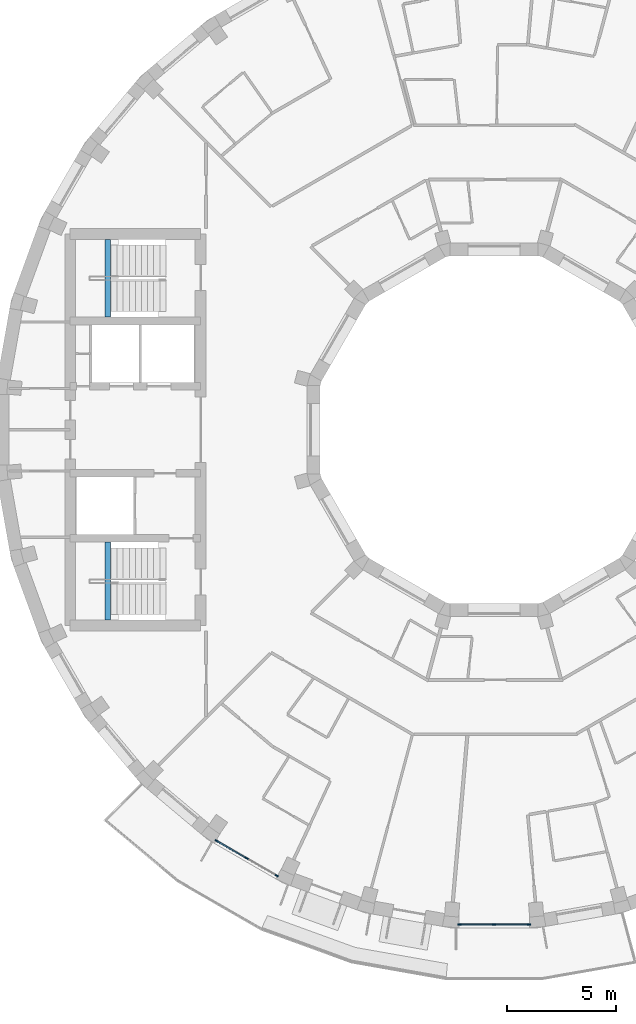
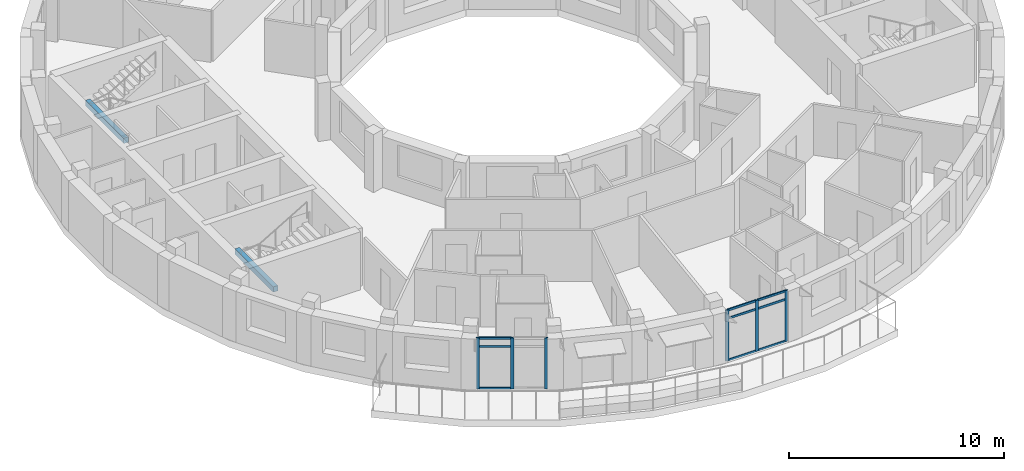
# One storey, part 2 of 12: 15 members, 2 beams, 2 elements without a shape of their own.
"""IFC4 building model written with IfcOpenShell, lengths in metres."""

import ifcopenshell
import ifcopenshell.guid

model = None  # the IFC model being written
_history = None  # IfcOwnerHistory: only IFC2X3 demands one
_inside = {}  # id of a spatial element -> (the spatial element, [elements in it])
_under = {}  # id of a project, library or spatial element -> (it, [spatial elements below it])
_declared = {}  # id of a project -> (the project, [libraries it declares])
_typed = {}  # id of a type object -> (the type object, [elements of that type])
_made_of = {}  # id of a material, layer set ... -> (it, [elements and type objects made of it])


def new_model(schema):
    """Start an empty IFC model of exactly this schema.

    Asked for "IFC4X3", IfcOpenShell would pick the latest addendum, in which some entities
    have other attributes; the version numbers below select the first issue.
    IFC2X3 requires an IfcOwnerHistory on every rooted entity: one is made here for all.
    """
    global model, _history
    if schema == "IFC4X3":
        model = ifcopenshell.file(schema_version=(4, 3, 0, 0))
    else:
        model = ifcopenshell.file(schema=schema)
    _inside.clear()
    _under.clear()
    _declared.clear()
    _typed.clear()
    _made_of.clear()
    _history = None
    if model.schema == "IFC2X3":
        org = make("IfcOrganization", Name="unknown")
        user = make(
            "IfcPersonAndOrganization",
            ThePerson=make("IfcPerson", FamilyName="unknown"),
            TheOrganization=org,
        )
        app = make(
            "IfcApplication",
            ApplicationDeveloper=org,
            Version="unknown",
            ApplicationFullName="unknown",
            ApplicationIdentifier="unknown",
        )
        _history = make(
            "IfcOwnerHistory",
            OwningUser=user,
            OwningApplication=app,
            ChangeAction="ADDED",
            CreationDate=0,
        )
    return model


def make(cls, **values):
    """One entity of the class cls with the attributes given. An attribute that is None is left unset."""
    return model.create_entity(
        cls, **{name: value for name, value in values.items() if value is not None}
    )


def rooted(cls, **values):
    """An entity with a GlobalId (a new one), such as an element, a storey or a relation."""
    return make(cls, GlobalId=ifcopenshell.guid.new(), OwnerHistory=_history, **values)


def si_unit(unit_type, name, prefix=None):
    """IfcSIUnit, for example si_unit("LENGTHUNIT", "METRE", prefix="MILLI")."""
    return make("IfcSIUnit", UnitType=unit_type, Prefix=prefix, Name=name)


def assignment(units):
    """IfcUnitAssignment: the units of a project."""
    return None if units is None else make("IfcUnitAssignment", Units=units)


def point(xyz):
    """IfcCartesianPoint."""
    return None if xyz is None else make("IfcCartesianPoint", Coordinates=xyz)


def direction(xyz):
    """IfcDirection."""
    return None if xyz is None else make("IfcDirection", DirectionRatios=xyz)


def frame(location, z_axis=None, x_axis=None):
    """IfcAxis2Placement3D, a coordinate frame: its origin and axes. An axis left out is left unset."""
    return make(
        "IfcAxis2Placement3D",
        Location=point(location),
        Axis=direction(z_axis),
        RefDirection=direction(x_axis),
    )


def frame_2d(location, x_axis=None):
    """IfcAxis2Placement2D, a coordinate frame in the plane: its origin and x axis."""
    return make(
        "IfcAxis2Placement2D", Location=point(location), RefDirection=direction(x_axis)
    )


def origin():
    """The frame at (0, 0, 0) with its axes left unset."""
    return frame((0.0, 0.0, 0.0))


def origin_2d():
    """The frame at (0, 0) in the plane with its x axis left unset."""
    return frame_2d((0.0, 0.0))


def place(relative_to, where):
    """IfcLocalPlacement: puts the frame where relative to a parent placement (None: the world)."""
    return make(
        "IfcLocalPlacement", PlacementRelTo=relative_to, RelativePlacement=where
    )


def context(
    kind, dimensions, precision=None, world=None, true_north=None, identifier=None
):
    """IfcGeometricRepresentationContext, for example the 3D "Model" context."""
    return make(
        "IfcGeometricRepresentationContext",
        ContextIdentifier=identifier,
        ContextType=kind,
        CoordinateSpaceDimension=dimensions,
        Precision=precision,
        WorldCoordinateSystem=world,
        TrueNorth=true_north,
    )


def subcontext(parent, identifier, kind, view, scale=None):
    """IfcGeometricRepresentationSubContext, for example "Body" below "Model"."""
    return make(
        "IfcGeometricRepresentationSubContext",
        ContextIdentifier=identifier,
        ContextType=kind,
        ParentContext=parent,
        TargetScale=scale,
        TargetView=view,
    )


def project(units=None, contexts=None):
    """IfcProject with its units and contexts."""
    return rooted(
        "IfcProject",
        Name="project",
        RepresentationContexts=contexts,
        UnitsInContext=assignment(units),
    )


def spatial(cls, under=None, at=None, **own):
    """A site, building, storey or space (cls), placed at a placement, below another one or the project."""
    s = rooted(cls, ObjectPlacement=at, **own)
    if under is not None:
        _under.setdefault(under.id(), (under, []))[1].append(s)
    return s


def profile(cls, at=None, kind="AREA", **sizes):
    """A parametric profile (cls). Its sizes go by their IFC names, for example OverallWidth=200.0."""
    return make(cls, ProfileType=kind, Position=at, **sizes)


def rectangle(**sizes):
    """IfcRectangleProfileDef."""
    return profile("IfcRectangleProfileDef", **sizes)


def extrude(swept, where, along, depth):
    """IfcExtrudedAreaSolid: the profile swept, set in the frame where, extruded along a direction by depth."""
    return make(
        "IfcExtrudedAreaSolid",
        SweptArea=swept,
        Position=where,
        ExtrudedDirection=direction(along),
        Depth=depth,
    )


def shape(context_of_items, identifier, shape_type, items):
    """IfcShapeRepresentation: the items that make up one representation, for example the "Body"."""
    return make(
        "IfcShapeRepresentation",
        ContextOfItems=context_of_items,
        RepresentationIdentifier=identifier,
        RepresentationType=shape_type,
        Items=items,
    )


def material(Name=None, Category=None):
    """IfcMaterial."""
    return make("IfcMaterial", Name=Name, Category=Category)


def layer(
    of_material, thickness, ventilated=None, Name=None, Category=None, Priority=None
):
    """IfcMaterialLayer: one layer of a wall or slab, of a material (None: an air gap)."""
    return make(
        "IfcMaterialLayer",
        Material=of_material,
        LayerThickness=thickness,
        IsVentilated=ventilated,
        Name=Name,
        Category=Category,
        Priority=Priority,
    )


def layer_set(layers, Name=None):
    """IfcMaterialLayerSet."""
    return make("IfcMaterialLayerSet", MaterialLayers=layers, LayerSetName=Name)


def material_profile(
    of_material, cross_section, Name=None, Category=None, Priority=None
):
    """IfcMaterialProfile: a cross section and its material."""
    return make(
        "IfcMaterialProfile",
        Name=Name,
        Material=of_material,
        Profile=cross_section,
        Priority=Priority,
        Category=Category,
    )


def profile_set(profiles, Name=None, composite=None):
    """IfcMaterialProfileSet."""
    return make(
        "IfcMaterialProfileSet",
        Name=Name,
        MaterialProfiles=profiles,
        CompositeProfile=composite,
    )


def made_of(thing, what):
    """Note that an element or type object is made of a material, layer set ...; save() writes the relation."""
    if what is not None:
        _made_of.setdefault(what.id(), (what, []))[1].append(thing)
    return thing


def type_object(cls, material=None, **own):
    """A type object (cls), such as IfcWallType, which elements share."""
    return made_of(rooted(cls, **own), material)


def element(
    cls,
    number,
    at=None,
    inside=None,
    cuts=None,
    type_object=None,
    material=None,
    context=None,
    identifier="Body",
    shape_type=None,
    held_by="IfcProductDefinitionShape",
    body=None,
    shapes=None,
    **own,
):
    """One element of the class cls, such as IfcWall. Its Tag is "e" and its number.

    at: its placement. inside: the storey or other place that contains it. cuts: it is an
    opening in that element (IfcRelVoidsElement). A single representation is given by context,
    identifier, shape_type and body (its items); several are given by shapes. held_by: the class
    of the entity that holds the representations. save() writes the other relations.
    """
    e = rooted(cls, Tag="e%d" % number, ObjectPlacement=at, **own)
    if body is not None:
        shapes = [shape(context, identifier, shape_type, body)]
    if shapes is not None:
        e.Representation = make(held_by, Representations=shapes)
    if inside is not None:
        _inside.setdefault(inside.id(), (inside, []))[1].append(e)
    if cuts is not None:
        rooted(
            "IfcRelVoidsElement", RelatingBuildingElement=cuts, RelatedOpeningElement=e
        )
    if type_object is not None:
        _typed.setdefault(type_object.id(), (type_object, []))[1].append(e)
    return made_of(e, material)


def aggregate(whole, parts):
    """IfcRelAggregates: a whole, such as a stair, and the parts it consists of."""
    return rooted("IfcRelAggregates", RelatingObject=whole, RelatedObjects=parts)


def save(model, path):
    """Write the relations noted so far, then the file.

    IfcRelAggregates (storeys below a building ...), IfcRelContainedInSpatialStructure (elements
    in a storey), IfcRelDefinesByType, IfcRelAssociatesMaterial and IfcRelDeclares: one each for
    every whole, place, type object, material and project.
    """
    for whole, parts in _under.values():
        aggregate(whole, parts)
    for where, things in _inside.values():
        rooted(
            "IfcRelContainedInSpatialStructure",
            RelatedElements=things,
            RelatingStructure=where,
        )
    for kind, things in _typed.values():
        rooted("IfcRelDefinesByType", RelatedObjects=things, RelatingType=kind)
    for what, things in _made_of.values():
        rooted("IfcRelAssociatesMaterial", RelatedObjects=things, RelatingMaterial=what)
    for by, libraries in _declared.values():
        rooted("IfcRelDeclares", RelatingContext=by, RelatedDefinitions=libraries)
    model.write(path)


model = new_model("IFC4")

# Units and contexts
model_context = context("Model", 3, precision=1e-05, world=origin(), true_north=direction((0.0, 1.0)))
body_context = subcontext(model_context, "Body", "Model", "MODEL_VIEW")
ifc_project = project(units=[si_unit("LENGTHUNIT", "METRE"), si_unit("AREAUNIT", "SQUARE_METRE"), si_unit("VOLUMEUNIT", "CUBIC_METRE"), si_unit("PLANEANGLEUNIT", "RADIAN"), si_unit("MASSUNIT", "GRAM", prefix="KILO")], contexts=[model_context])

# Site, building, storey
site_placement = place(None, origin())
site = spatial("IfcSite", under=ifc_project, at=site_placement, CompositionType="ELEMENT")
building_placement = place(site_placement, origin())
building = spatial("IfcBuilding", under=site, at=building_placement, Name="Saqina Gate Tower", CompositionType="ELEMENT")
storey_placement = place(building_placement, frame((0.0, 0.0, 272.60009765625)))
storey = spatial("IfcBuildingStorey", under=building, at=storey_placement, Name="L78", CompositionType="ELEMENT", Elevation=272.60009765625)

# Curtain wall, members
ifc_material_1 = material(Name="Aluminium glazing", Category="aluminium")
ifc_layer = layer(ifc_material_1, 0.159912109375)
ifc_layer_set = layer_set([ifc_layer], Name="CWT-4")
curtain_wall_type = type_object("IfcCurtainWallType", Name="CWT-4", PredefinedType="NOTDEFINED", material=ifc_layer_set)
curtain_wall_1_placement = place(storey_placement, origin())
curtain_wall_1 = element("IfcCurtainWall", 1, at=curtain_wall_1_placement, inside=storey, type_object=curtain_wall_type, Name="Terrace lounge glazing facet 24", PredefinedType="NOTDEFINED")
ifc_material_2 = material(Name="Aluminium", Category="aluminium")
ifc_material_profile_1 = material_profile(ifc_material_2, rectangle(XDim=0.06005859375, YDim=0.159912109375, at=origin_2d()), Name="Aluminium 60x160")
ifc_profile_set_1 = profile_set([ifc_material_profile_1], Name="Aluminium")
member_type_1 = type_object("IfcMemberType", Name="CWT-4M", PredefinedType="MULLION", material=ifc_profile_set_1)
member_1_placement = place(storey_placement, frame((-12.763427734375, -18.9150390625, 0.0), z_axis=(0.0, 0.0, 1.0), x_axis=(0.499982449212, 0.8660355365, 0.0)))
member_1 = element("IfcMember", 2, at=member_1_placement, type_object=member_type_1, Name="CW4-24 mullion 1", PredefinedType="MULLION", context=body_context, shape_type="SweptSolid", body=[
    extrude(rectangle(XDim=0.06005859375, YDim=0.159912109375, at=origin_2d()), origin(), (0.0, 0.0, 1.0), 2.89990234375),
])
member_2_placement = place(storey_placement, frame((-11.38134765625, -19.712890625, 0.0), z_axis=(0.0, 0.0, 1.0), x_axis=(0.499982449212, 0.8660355365, 0.0)))
member_2 = element("IfcMember", 3, at=member_2_placement, type_object=member_type_1, Name="CW4-24 mullion 2", PredefinedType="MULLION", context=body_context, shape_type="SweptSolid", body=[
    extrude(rectangle(XDim=0.06005859375, YDim=0.159912109375, at=origin_2d()), origin(), (0.0, 0.0, 1.0), 2.89990234375),
])
member_3_placement = place(storey_placement, frame((-9.999267578125, -20.5107421875, 0.0), z_axis=(0.0, 0.0, 1.0), x_axis=(0.499982449212, 0.8660355365, 0.0)))
member_3 = element("IfcMember", 4, at=member_3_placement, type_object=member_type_1, Name="CW4-24 mullion 3", PredefinedType="MULLION", context=body_context, shape_type="SweptSolid", body=[
    extrude(rectangle(XDim=0.06005859375, YDim=0.159912109375, at=origin_2d()), origin(), (0.0, 0.0, 1.0), 2.89990234375),
])

curtain_wall_2_placement = place(storey_placement, origin())
curtain_wall_2 = element("IfcCurtainWall", 5, at=curtain_wall_2_placement, inside=storey, type_object=curtain_wall_type, Name="Terrace lounge glazing facet 27", PredefinedType="NOTDEFINED")
member_4_placement = place(storey_placement, frame((-1.595703125, -22.762451171875, 0.0), z_axis=(0.0, 0.0, 1.0), x_axis=(0.0, 1.0, 0.0)))
member_4 = element("IfcMember", 6, at=member_4_placement, type_object=member_type_1, Name="CW4-27 mullion 1", PredefinedType="MULLION", context=body_context, shape_type="SweptSolid", body=[
    extrude(rectangle(XDim=0.06005859375, YDim=0.159912109375, at=origin_2d()), origin(), (0.0, 0.0, 1.0), 2.89990234375),
])
member_5_placement = place(storey_placement, frame((0.0, -22.762451171875, 0.0), z_axis=(0.0, 0.0, 1.0), x_axis=(0.0, 1.0, 0.0)))
member_5 = element("IfcMember", 7, at=member_5_placement, type_object=member_type_1, Name="CW4-27 mullion 2", PredefinedType="MULLION", context=body_context, shape_type="SweptSolid", body=[
    extrude(rectangle(XDim=0.06005859375, YDim=0.159912109375, at=origin_2d()), origin(), (0.0, 0.0, 1.0), 2.89990234375),
])
member_6_placement = place(storey_placement, frame((1.595703125, -22.762451171875, 0.0), z_axis=(0.0, 0.0, 1.0), x_axis=(0.0, 1.0, 0.0)))
member_6 = element("IfcMember", 8, at=member_6_placement, type_object=member_type_1, Name="CW4-27 mullion 3", PredefinedType="MULLION", context=body_context, shape_type="SweptSolid", body=[
    extrude(rectangle(XDim=0.06005859375, YDim=0.159912109375, at=origin_2d()), origin(), (0.0, 0.0, 1.0), 2.89990234375),
])

# Member
ifc_material_3 = material(Name="Aluminium", Category="aluminium")
ifc_material_profile_2 = material_profile(ifc_material_3, rectangle(XDim=0.06005859375, YDim=0.1201171875, at=origin_2d()), Name="Aluminium 60x120")
ifc_profile_set_2 = profile_set([ifc_material_profile_2], Name="Aluminium")
member_type_2 = type_object("IfcMemberType", Name="CWT-4T", PredefinedType="USERDEFINED", material=ifc_profile_set_2)
member_7_placement = place(storey_placement, frame((-12.7373046875, -18.929931640625, 0.02978515625), z_axis=(0.865984396932, -0.500071019227, 0.0), x_axis=(0.500071019227, 0.865984396932, 0.0)))
member_7 = element("IfcMember", 9, at=member_7_placement, type_object=member_type_2, Name="CW4-24 transom 1.1", ObjectType="TRANSOM", PredefinedType="USERDEFINED", context=body_context, shape_type="SweptSolid", body=[
    extrude(rectangle(XDim=0.06005859375, YDim=0.1201171875, at=origin_2d()), origin(), (0.0, 0.0, 1.0), 1.535888671875),
])

member_8_placement = place(storey_placement, frame((-12.7373046875, -18.929931640625, 2.39990234375), z_axis=(0.865984396932, -0.500071019227, 0.0), x_axis=(0.500071019227, 0.865984396932, 0.0)))
member_8 = element("IfcMember", 10, at=member_8_placement, type_object=member_type_2, Name="CW4-24 transom 1.2", ObjectType="TRANSOM", PredefinedType="USERDEFINED", context=body_context, shape_type="SweptSolid", body=[
    extrude(rectangle(XDim=0.06005859375, YDim=0.1201171875, at=origin_2d()), origin(), (0.0, 0.0, 1.0), 1.535888671875),
])

member_9_placement = place(storey_placement, frame((-12.7373046875, -18.929931640625, 2.869873046875), z_axis=(0.865984396932, -0.500071019227, 0.0), x_axis=(0.500071019227, 0.865984396932, 0.0)))
member_9 = element("IfcMember", 11, at=member_9_placement, type_object=member_type_2, Name="CW4-24 transom 1.3", ObjectType="TRANSOM", PredefinedType="USERDEFINED", context=body_context, shape_type="SweptSolid", body=[
    extrude(rectangle(XDim=0.06005859375, YDim=0.1201171875, at=origin_2d()), origin(), (0.0, 0.0, 1.0), 1.535888671875),
])

aggregate(curtain_wall_1, [member_1, member_2, member_3, member_7, member_8, member_9])

member_10_placement = place(storey_placement, frame((-1.56591796875, -22.762451171875, 0.02978515625), z_axis=(1.0, 0.0, 0.0), x_axis=(0.0, 1.0, 0.0)))
member_10 = element("IfcMember", 12, at=member_10_placement, type_object=member_type_2, Name="CW4-27 transom 1.1", ObjectType="TRANSOM", PredefinedType="USERDEFINED", context=body_context, shape_type="SweptSolid", body=[
    extrude(rectangle(XDim=0.06005859375, YDim=0.1201171875, at=origin_2d()), origin(), (0.0, 0.0, 1.0), 1.535888671875),
])

member_11_placement = place(storey_placement, frame((-1.56591796875, -22.762451171875, 2.39990234375), z_axis=(1.0, 0.0, 0.0), x_axis=(0.0, 1.0, 0.0)))
member_11 = element("IfcMember", 13, at=member_11_placement, type_object=member_type_2, Name="CW4-27 transom 1.2", ObjectType="TRANSOM", PredefinedType="USERDEFINED", context=body_context, shape_type="SweptSolid", body=[
    extrude(rectangle(XDim=0.06005859375, YDim=0.1201171875, at=origin_2d()), origin(), (0.0, 0.0, 1.0), 1.535888671875),
])

member_12_placement = place(storey_placement, frame((-1.56591796875, -22.762451171875, 2.869873046875), z_axis=(1.0, 0.0, 0.0), x_axis=(0.0, 1.0, 0.0)))
member_12 = element("IfcMember", 14, at=member_12_placement, type_object=member_type_2, Name="CW4-27 transom 1.3", ObjectType="TRANSOM", PredefinedType="USERDEFINED", context=body_context, shape_type="SweptSolid", body=[
    extrude(rectangle(XDim=0.06005859375, YDim=0.1201171875, at=origin_2d()), origin(), (0.0, 0.0, 1.0), 1.535888671875),
])

member_13_placement = place(storey_placement, frame((0.030029296875, -22.762451171875, 0.02978515625), z_axis=(1.0, 0.0, 0.0), x_axis=(0.0, 1.0, 0.0)))
member_13 = element("IfcMember", 15, at=member_13_placement, type_object=member_type_2, Name="CW4-27 transom 2.1", ObjectType="TRANSOM", PredefinedType="USERDEFINED", context=body_context, shape_type="SweptSolid", body=[
    extrude(rectangle(XDim=0.06005859375, YDim=0.1201171875, at=origin_2d()), origin(), (0.0, 0.0, 1.0), 1.535888671875),
])

member_14_placement = place(storey_placement, frame((0.030029296875, -22.762451171875, 2.39990234375), z_axis=(1.0, 0.0, 0.0), x_axis=(0.0, 1.0, 0.0)))
member_14 = element("IfcMember", 16, at=member_14_placement, type_object=member_type_2, Name="CW4-27 transom 2.2", ObjectType="TRANSOM", PredefinedType="USERDEFINED", context=body_context, shape_type="SweptSolid", body=[
    extrude(rectangle(XDim=0.06005859375, YDim=0.1201171875, at=origin_2d()), origin(), (0.0, 0.0, 1.0), 1.535888671875),
])

member_15_placement = place(storey_placement, frame((0.030029296875, -22.762451171875, 2.869873046875), z_axis=(1.0, 0.0, 0.0), x_axis=(0.0, 1.0, 0.0)))
member_15 = element("IfcMember", 17, at=member_15_placement, type_object=member_type_2, Name="CW4-27 transom 2.3", ObjectType="TRANSOM", PredefinedType="USERDEFINED", context=body_context, shape_type="SweptSolid", body=[
    extrude(rectangle(XDim=0.06005859375, YDim=0.1201171875, at=origin_2d()), origin(), (0.0, 0.0, 1.0), 1.535888671875),
])

aggregate(curtain_wall_2, [member_4, member_5, member_6, member_10, member_11, member_12, member_13, member_14, member_15])

# Beams
ifc_material_4 = material(Name="Concrete C40/50", Category="concrete")
ifc_material_profile_3 = material_profile(ifc_material_4, rectangle(XDim=0.25, YDim=0.300048828125, at=origin_2d()), Name="STAIR LANDING BEAM")
ifc_profile_set_3 = profile_set([ifc_material_profile_3], Name="Concrete C40/50")
beam_type = type_object("IfcBeamType", Name="STAIR LANDING BEAM", PredefinedType="BEAM", material=ifc_profile_set_3)
for number, where, z_axis, x_axis, name in (
    (18, (-17.77001953125, 5.175048828125, 1.25), (0.0, 1.0, 0.0), (-1.0, 0.0, 0.0), "EXIT STAIR 3 LANDING BEAM"),
    (19, (-17.77001953125, -8.75, 1.25), (0.0, 1.0, 0.0), (-1.0, 0.0, 0.0), "EXIT STAIR 4 LANDING BEAM"),
):
    element("IfcBeam", number, at=place(storey_placement, frame(where, z_axis=z_axis, x_axis=x_axis)), inside=storey, type_object=beam_type, Name=name, PredefinedType="BEAM", context=body_context, shape_type="SweptSolid", body=[
        extrude(rectangle(XDim=0.25, YDim=0.300048828125, at=origin_2d()), origin(), (0.0, 0.0, 1.0), 3.574951171875),
    ])

save(model, "model.ifc")
